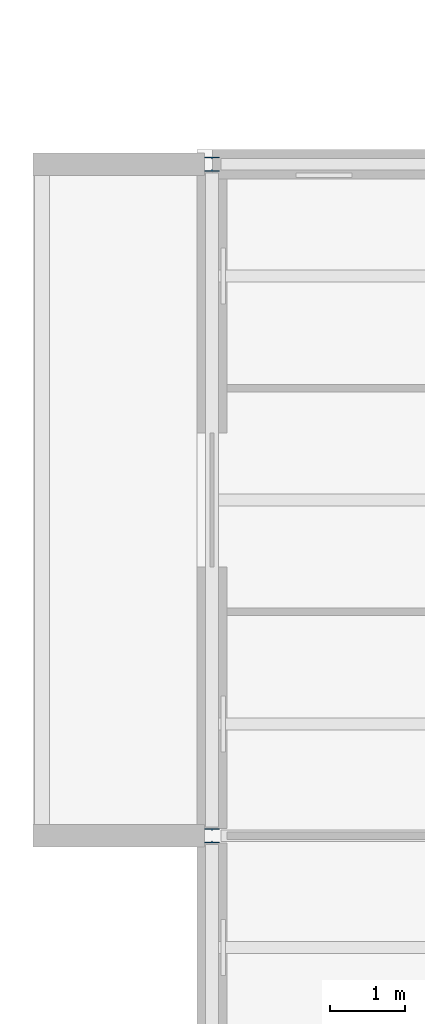
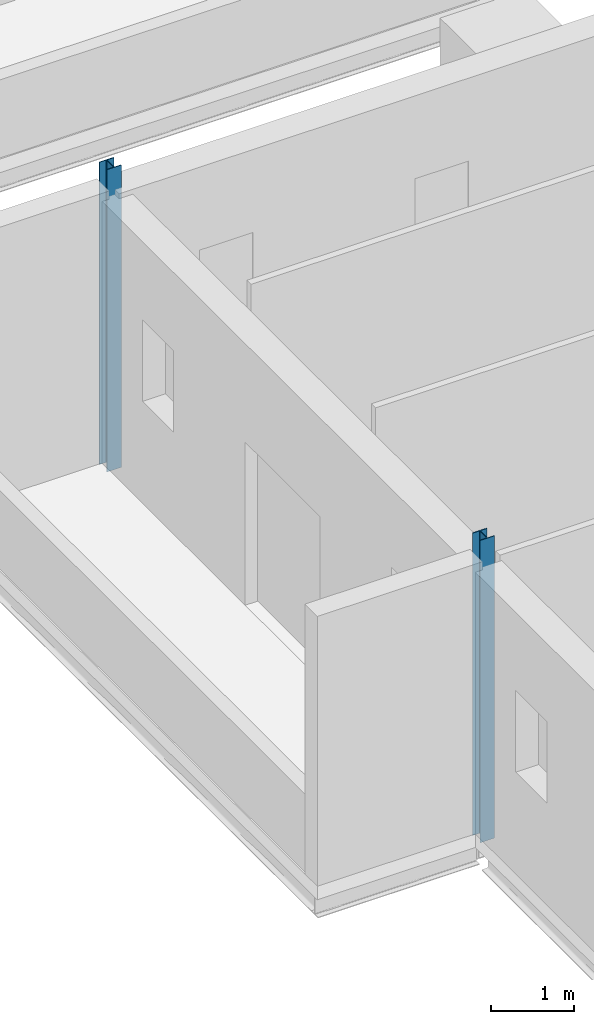
# One storey, part 19 of 131: 2 columns.
"""IFC4 building model written with IfcOpenShell, lengths in metres."""

from ifc_helpers import new_model, si_unit, direction, frame, origin, origin_2d, place, context, subcontext, project, spatial, i_section, extrude, material, material_profile, profile_set, type_object, element, save


model = new_model("IFC4")

# Units and contexts
model_context = context("Model", 3, precision=1e-05, world=origin(), true_north=direction((0.0, 1.0)))
body_context = subcontext(model_context, "Body", "Model", "MODEL_VIEW")
ifc_project = project(units=[si_unit("LENGTHUNIT", "METRE"), si_unit("AREAUNIT", "SQUARE_METRE"), si_unit("VOLUMEUNIT", "CUBIC_METRE"), si_unit("PLANEANGLEUNIT", "RADIAN"), si_unit("MASSUNIT", "GRAM", prefix="KILO")], contexts=[model_context])

# Site, building, storey
site_placement = place(None, origin())
site = spatial("IfcSite", under=ifc_project, at=site_placement, CompositionType="ELEMENT")
building_placement = place(site_placement, origin())
building = spatial("IfcBuilding", under=site, at=building_placement, Name="Golden Quay Civic Hall", CompositionType="ELEMENT")
storey_placement = place(building_placement, frame((0.0, 0.0, 9.89990234375)))
storey = spatial("IfcBuildingStorey", under=building, at=storey_placement, Name="L02", CompositionType="ELEMENT", Elevation=9.89990234375)

# Columns
ifc_material = material(Name="Steel S355", Category="steel")
ifc_material_profile = material_profile(ifc_material, i_section(OverallWidth=0.199951171875, OverallDepth=0.18994140625, WebThickness=0.006591796875, FlangeThickness=0.010009765625, FilletRadius=0.01806640625, at=origin_2d()), Name="HEA 200")
ifc_profile_set = profile_set([ifc_material_profile], Name="Steel S355")
column_type = type_object("IfcColumnType", Name="Steel column HEA 200", PredefinedType="COLUMN", material=ifc_profile_set)
for number, where, z_axis, x_axis, name in (
    (1, (153.0, 45.0, -0.199951171875), (0.0, 0.0, 1.0), (1.0, 0.0, 0.0), "Column 153/45 L02"),
    (2, (153.0, 54.0, -0.199951171875), (0.0, 0.0, 1.0), (1.0, 0.0, 0.0), "Column 153/54 L02"),
):
    element("IfcColumn", number, at=place(storey_placement, frame(where, z_axis=z_axis, x_axis=x_axis)), inside=storey, type_object=column_type, Name=name, PredefinedType="COLUMN", context=body_context, shape_type="SweptSolid", body=[
        extrude(i_section(OverallWidth=0.199951171875, OverallDepth=0.18994140625, WebThickness=0.006591796875, FlangeThickness=0.010009765625, FilletRadius=0.01806640625, at=origin_2d()), origin(), (0.0, 0.0, 1.0), 4.449951171875),
    ])

save(model, "model.ifc")
